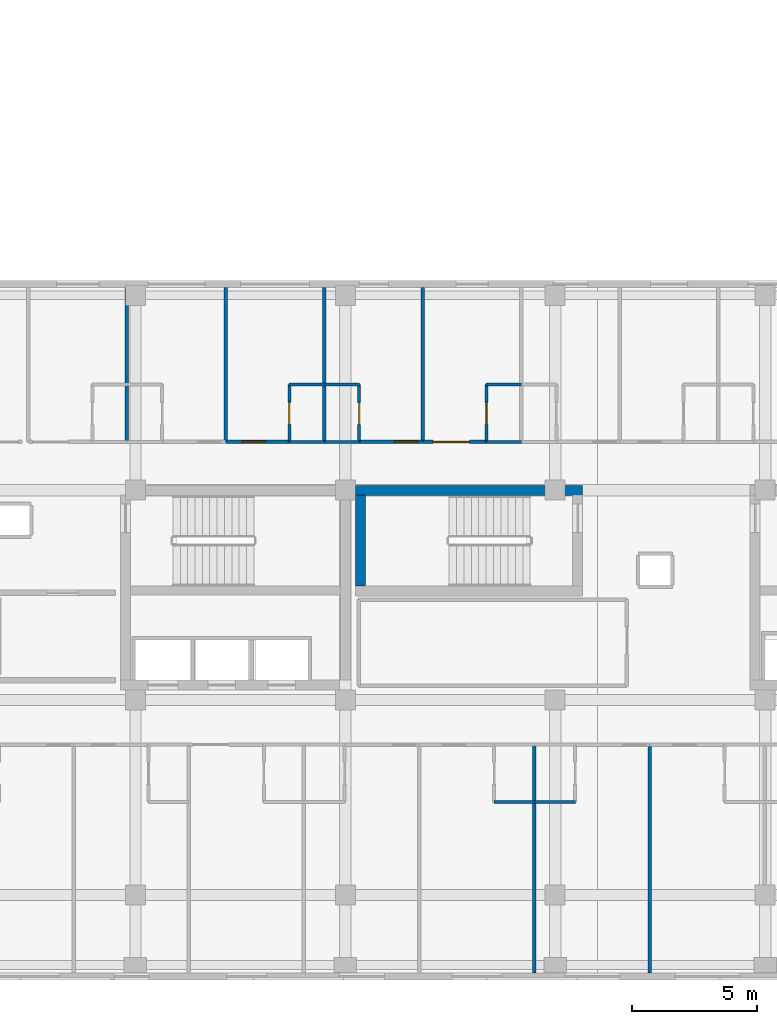
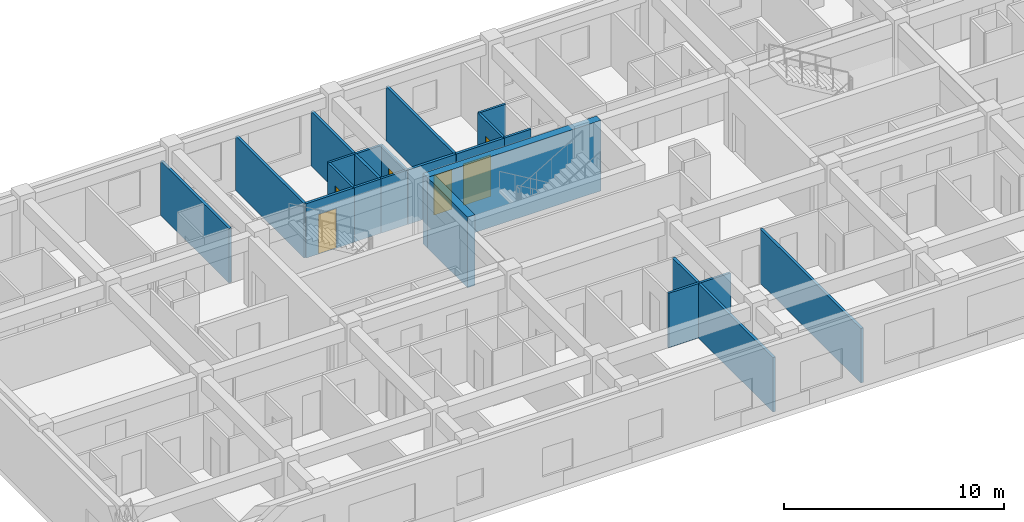
# One storey, part 104 of 123: 22 walls, 6 doors, 6 openings.
"""IFC4 building model written with IfcOpenShell, lengths in metres."""

import ifcopenshell
import ifcopenshell.guid

model = None  # the IFC model being written
_history = None  # IfcOwnerHistory: only IFC2X3 demands one
_inside = {}  # id of a spatial element -> (the spatial element, [elements in it])
_under = {}  # id of a project, library or spatial element -> (it, [spatial elements below it])
_declared = {}  # id of a project -> (the project, [libraries it declares])
_typed = {}  # id of a type object -> (the type object, [elements of that type])
_made_of = {}  # id of a material, layer set ... -> (it, [elements and type objects made of it])


def new_model(schema):
    """Start an empty IFC model of exactly this schema.

    Asked for "IFC4X3", IfcOpenShell would pick the latest addendum, in which some entities
    have other attributes; the version numbers below select the first issue.
    IFC2X3 requires an IfcOwnerHistory on every rooted entity: one is made here for all.
    """
    global model, _history
    if schema == "IFC4X3":
        model = ifcopenshell.file(schema_version=(4, 3, 0, 0))
    else:
        model = ifcopenshell.file(schema=schema)
    _inside.clear()
    _under.clear()
    _declared.clear()
    _typed.clear()
    _made_of.clear()
    _history = None
    if model.schema == "IFC2X3":
        org = make("IfcOrganization", Name="unknown")
        user = make(
            "IfcPersonAndOrganization",
            ThePerson=make("IfcPerson", FamilyName="unknown"),
            TheOrganization=org,
        )
        app = make(
            "IfcApplication",
            ApplicationDeveloper=org,
            Version="unknown",
            ApplicationFullName="unknown",
            ApplicationIdentifier="unknown",
        )
        _history = make(
            "IfcOwnerHistory",
            OwningUser=user,
            OwningApplication=app,
            ChangeAction="ADDED",
            CreationDate=0,
        )
    return model


def make(cls, **values):
    """One entity of the class cls with the attributes given. An attribute that is None is left unset."""
    return model.create_entity(
        cls, **{name: value for name, value in values.items() if value is not None}
    )


def rooted(cls, **values):
    """An entity with a GlobalId (a new one), such as an element, a storey or a relation."""
    return make(cls, GlobalId=ifcopenshell.guid.new(), OwnerHistory=_history, **values)


def si_unit(unit_type, name, prefix=None):
    """IfcSIUnit, for example si_unit("LENGTHUNIT", "METRE", prefix="MILLI")."""
    return make("IfcSIUnit", UnitType=unit_type, Prefix=prefix, Name=name)


def assignment(units):
    """IfcUnitAssignment: the units of a project."""
    return None if units is None else make("IfcUnitAssignment", Units=units)


def point(xyz):
    """IfcCartesianPoint."""
    return None if xyz is None else make("IfcCartesianPoint", Coordinates=xyz)


def direction(xyz):
    """IfcDirection."""
    return None if xyz is None else make("IfcDirection", DirectionRatios=xyz)


def frame(location, z_axis=None, x_axis=None):
    """IfcAxis2Placement3D, a coordinate frame: its origin and axes. An axis left out is left unset."""
    return make(
        "IfcAxis2Placement3D",
        Location=point(location),
        Axis=direction(z_axis),
        RefDirection=direction(x_axis),
    )


def frame_2d(location, x_axis=None):
    """IfcAxis2Placement2D, a coordinate frame in the plane: its origin and x axis."""
    return make(
        "IfcAxis2Placement2D", Location=point(location), RefDirection=direction(x_axis)
    )


def origin():
    """The frame at (0, 0, 0) with its axes left unset."""
    return frame((0.0, 0.0, 0.0))


def place(relative_to, where):
    """IfcLocalPlacement: puts the frame where relative to a parent placement (None: the world)."""
    return make(
        "IfcLocalPlacement", PlacementRelTo=relative_to, RelativePlacement=where
    )


def context(
    kind, dimensions, precision=None, world=None, true_north=None, identifier=None
):
    """IfcGeometricRepresentationContext, for example the 3D "Model" context."""
    return make(
        "IfcGeometricRepresentationContext",
        ContextIdentifier=identifier,
        ContextType=kind,
        CoordinateSpaceDimension=dimensions,
        Precision=precision,
        WorldCoordinateSystem=world,
        TrueNorth=true_north,
    )


def subcontext(parent, identifier, kind, view, scale=None):
    """IfcGeometricRepresentationSubContext, for example "Body" below "Model"."""
    return make(
        "IfcGeometricRepresentationSubContext",
        ContextIdentifier=identifier,
        ContextType=kind,
        ParentContext=parent,
        TargetScale=scale,
        TargetView=view,
    )


def project(units=None, contexts=None):
    """IfcProject with its units and contexts."""
    return rooted(
        "IfcProject",
        Name="project",
        RepresentationContexts=contexts,
        UnitsInContext=assignment(units),
    )


def spatial(cls, under=None, at=None, **own):
    """A site, building, storey or space (cls), placed at a placement, below another one or the project."""
    s = rooted(cls, ObjectPlacement=at, **own)
    if under is not None:
        _under.setdefault(under.id(), (under, []))[1].append(s)
    return s


def profile(cls, at=None, kind="AREA", **sizes):
    """A parametric profile (cls). Its sizes go by their IFC names, for example OverallWidth=200.0."""
    return make(cls, ProfileType=kind, Position=at, **sizes)


def rectangle(**sizes):
    """IfcRectangleProfileDef."""
    return profile("IfcRectangleProfileDef", **sizes)


def extrude(swept, where, along, depth):
    """IfcExtrudedAreaSolid: the profile swept, set in the frame where, extruded along a direction by depth."""
    return make(
        "IfcExtrudedAreaSolid",
        SweptArea=swept,
        Position=where,
        ExtrudedDirection=direction(along),
        Depth=depth,
    )


def shape(context_of_items, identifier, shape_type, items):
    """IfcShapeRepresentation: the items that make up one representation, for example the "Body"."""
    return make(
        "IfcShapeRepresentation",
        ContextOfItems=context_of_items,
        RepresentationIdentifier=identifier,
        RepresentationType=shape_type,
        Items=items,
    )


def material(Name=None, Category=None):
    """IfcMaterial."""
    return make("IfcMaterial", Name=Name, Category=Category)


def layer(
    of_material, thickness, ventilated=None, Name=None, Category=None, Priority=None
):
    """IfcMaterialLayer: one layer of a wall or slab, of a material (None: an air gap)."""
    return make(
        "IfcMaterialLayer",
        Material=of_material,
        LayerThickness=thickness,
        IsVentilated=ventilated,
        Name=Name,
        Category=Category,
        Priority=Priority,
    )


def layer_set(layers, Name=None):
    """IfcMaterialLayerSet."""
    return make("IfcMaterialLayerSet", MaterialLayers=layers, LayerSetName=Name)


def made_of(thing, what):
    """Note that an element or type object is made of a material, layer set ...; save() writes the relation."""
    if what is not None:
        _made_of.setdefault(what.id(), (what, []))[1].append(thing)
    return thing


def type_object(cls, material=None, **own):
    """A type object (cls), such as IfcWallType, which elements share."""
    return made_of(rooted(cls, **own), material)


def element(
    cls,
    number,
    at=None,
    inside=None,
    cuts=None,
    type_object=None,
    material=None,
    context=None,
    identifier="Body",
    shape_type=None,
    held_by="IfcProductDefinitionShape",
    body=None,
    shapes=None,
    **own,
):
    """One element of the class cls, such as IfcWall. Its Tag is "e" and its number.

    at: its placement. inside: the storey or other place that contains it. cuts: it is an
    opening in that element (IfcRelVoidsElement). A single representation is given by context,
    identifier, shape_type and body (its items); several are given by shapes. held_by: the class
    of the entity that holds the representations. save() writes the other relations.
    """
    e = rooted(cls, Tag="e%d" % number, ObjectPlacement=at, **own)
    if body is not None:
        shapes = [shape(context, identifier, shape_type, body)]
    if shapes is not None:
        e.Representation = make(held_by, Representations=shapes)
    if inside is not None:
        _inside.setdefault(inside.id(), (inside, []))[1].append(e)
    if cuts is not None:
        rooted(
            "IfcRelVoidsElement", RelatingBuildingElement=cuts, RelatedOpeningElement=e
        )
    if type_object is not None:
        _typed.setdefault(type_object.id(), (type_object, []))[1].append(e)
    return made_of(e, material)


def fill(opening, filler):
    """IfcRelFillsElement: the door or window that sits in an opening."""
    return rooted(
        "IfcRelFillsElement",
        RelatingOpeningElement=opening,
        RelatedBuildingElement=filler,
    )


def aggregate(whole, parts):
    """IfcRelAggregates: a whole, such as a stair, and the parts it consists of."""
    return rooted("IfcRelAggregates", RelatingObject=whole, RelatedObjects=parts)


def save(model, path):
    """Write the relations noted so far, then the file.

    IfcRelAggregates (storeys below a building ...), IfcRelContainedInSpatialStructure (elements
    in a storey), IfcRelDefinesByType, IfcRelAssociatesMaterial and IfcRelDeclares: one each for
    every whole, place, type object, material and project.
    """
    for whole, parts in _under.values():
        aggregate(whole, parts)
    for where, things in _inside.values():
        rooted(
            "IfcRelContainedInSpatialStructure",
            RelatedElements=things,
            RelatingStructure=where,
        )
    for kind, things in _typed.values():
        rooted("IfcRelDefinesByType", RelatedObjects=things, RelatingType=kind)
    for what, things in _made_of.values():
        rooted("IfcRelAssociatesMaterial", RelatedObjects=things, RelatingMaterial=what)
    for by, libraries in _declared.values():
        rooted("IfcRelDeclares", RelatingContext=by, RelatedDefinitions=libraries)
    model.write(path)


model = new_model("IFC4")

# Units and contexts
model_context = context("Model", 3, precision=1e-05, world=origin(), true_north=direction((0.0, 1.0)))
body_context = subcontext(model_context, "Body", "Model", "MODEL_VIEW")
ifc_project = project(units=[si_unit("LENGTHUNIT", "METRE"), si_unit("AREAUNIT", "SQUARE_METRE"), si_unit("VOLUMEUNIT", "CUBIC_METRE"), si_unit("PLANEANGLEUNIT", "RADIAN"), si_unit("MASSUNIT", "GRAM", prefix="KILO")], contexts=[model_context])

# Site, building, storey
site_placement = place(None, origin())
site = spatial("IfcSite", under=ifc_project, at=site_placement, CompositionType="ELEMENT")
building_placement = place(site_placement, origin())
building = spatial("IfcBuilding", under=site, at=building_placement, Name="Zayran Congress Hotel", CompositionType="ELEMENT")
storey_placement = place(building_placement, frame((0.0, 0.0, 15.0)))
storey = spatial("IfcBuildingStorey", under=building, at=storey_placement, Name="L03", CompositionType="ELEMENT", Elevation=15.0)

# Walls
ifc_material_1 = material(Name="Concrete C40/50", Category="concrete")
ifc_layer_1 = layer(ifc_material_1, 0.39990234375)
ifc_layer_set_1 = layer_set([ifc_layer_1], Name="Concrete C40/50")
wall_type_1 = type_object("IfcWallType", Name="WL-SH-400", PredefinedType="SHEAR", material=ifc_layer_set_1)
wall_1_placement = place(storey_placement, frame((43.10009765625, 25.5849609375, 0.0), z_axis=(0.0, 0.0, 1.0), x_axis=(-1.0, 0.0, 0.0)))
element("IfcWall", 1, at=wall_1_placement, inside=storey, type_object=wall_type_1, Name="CWALL-C-V5M-L03-N", PredefinedType="SHEAR", context=body_context, shape_type="SweptSolid", body=[
    extrude(rectangle(XDim=9.10009765625, YDim=0.39990234375, at=frame_2d((4.550048828125, 0.0))), origin(), (0.0, 0.0, 1.0), 3.919921875),
])
wall_2_placement = place(storey_placement, frame((34.199951171875, 25.39990234375, 0.0), z_axis=(0.0, 0.0, 1.0), x_axis=(0.0, -1.0, 0.0)))
element("IfcWall", 2, at=wall_2_placement, inside=storey, type_object=wall_type_1, Name="CWALL-C-V5M-L03-W", PredefinedType="SHEAR", context=body_context, shape_type="SweptSolid", body=[
    extrude(rectangle(XDim=3.639892578125, YDim=0.39990234375, at=frame_2d((1.81982421875, 0.0))), origin(), (0.0, 0.0, 1.0), 3.919921875),
])

# Wall, opening, door
ifc_material_2 = material(Name="Hospitality guestroom acoustic partition", Category="gypsum")
ifc_layer_2 = layer(ifc_material_2, 0.139892578125)
ifc_layer_set_2 = layer_set([ifc_layer_2], Name="Hospitality guestroom acoustic partition")
wall_type_2 = type_object("IfcWallType", Name="WL-PT-140", PredefinedType="PARTITIONING", material=ifc_layer_set_2)
wall_3_placement = place(storey_placement, frame((28.825927734375, 27.530029296875, 0.0), z_axis=(0.0, 0.0, 1.0), x_axis=(1.0, 0.0, 0.0)))
wall_3 = element("IfcWall", 3, at=wall_3_placement, inside=storey, type_object=wall_type_2, Name="IW-L03-0593", PredefinedType="PARTITIONING", context=body_context, shape_type="SweptSolid", body=[
    extrude(rectangle(XDim=2.5341796875, YDim=0.139892578125, at=frame_2d((1.26708984375, 0.0))), origin(), (0.0, 0.0, 1.0), 3.02001953125),
])
opening_1_placement = place(wall_3_placement, frame((0.656005859375, 0.0, 0.0)))
opening_1 = element("IfcOpeningElement", 4, at=opening_1_placement, cuts=wall_3, Name="Opening DR-GR-01", PredefinedType="OPENING", context=body_context, shape_type="SweptSolid", body=[
    extrude(rectangle(XDim=0.93994140625, YDim=2.199951171875, at=frame_2d((0.469970703125, 1.10009765625))), frame((0.0, 0.079833984375, 0.0), z_axis=(0.0, -1.0, 0.0), x_axis=(1.0, 0.0, 0.0)), (0.0, 0.0, 1.0), 0.159912109375),
])
ifc_material_3 = material(Name="Acoustic walnut veneer fire-rated entry door", Category="wood")
door_type_1 = type_object("IfcDoorType", Name="TP-DR-GR-01", OperationType="NOTDEFINED", PredefinedType="DOOR", material=ifc_material_3)
door_1_placement = place(opening_1_placement, origin())
door_1 = element("IfcDoor", 5, at=door_1_placement, inside=storey, type_object=door_type_1, Name="Guest Room L03-21 Door", OperationType="SINGLE_SWING_RIGHT", OverallHeight=2.199951171875, OverallWidth=0.93994140625, PredefinedType="DOOR", context=body_context, shape_type="SweptSolid", body=[
    extrude(rectangle(XDim=0.93994140625, YDim=2.199951171875, at=frame_2d((0.469970703125, 1.10009765625))), frame((0.0, 0.02490234375, 0.0), z_axis=(0.0, -1.0, 0.0), x_axis=(1.0, 0.0, 0.0)), (0.0, 0.0, 1.0), 0.050048828125),
])
fill(opening_1, door_1)

wall_4_placement = place(storey_placement, frame((34.156005859375, 27.530029296875, 0.0), z_axis=(0.0, 0.0, 1.0), x_axis=(1.0, 0.0, 0.0)))
wall_4 = element("IfcWall", 6, at=wall_4_placement, inside=storey, type_object=wall_type_2, Name="IW-L03-0594", PredefinedType="PARTITIONING", context=body_context, shape_type="SweptSolid", body=[
    extrude(rectangle(XDim=2.534912109375, YDim=0.139892578125, at=frame_2d((1.267578125, 0.0))), origin(), (0.0, 0.0, 1.0), 3.02001953125),
])
opening_2_placement = place(wall_4_placement, frame((1.407958984375, 0.0, 0.0)))
opening_2 = element("IfcOpeningElement", 7, at=opening_2_placement, cuts=wall_4, Name="Opening DR-GR-01", PredefinedType="OPENING", context=body_context, shape_type="SweptSolid", body=[
    extrude(rectangle(XDim=0.93994140625, YDim=2.199951171875, at=frame_2d((0.469970703125, 1.10009765625))), frame((0.0, 0.079833984375, 0.0), z_axis=(0.0, -1.0, 0.0), x_axis=(1.0, 0.0, 0.0)), (0.0, 0.0, 1.0), 0.159912109375),
])
door_2_placement = place(opening_2_placement, origin())
door_2 = element("IfcDoor", 8, at=door_2_placement, inside=storey, type_object=door_type_1, Name="Guest Room L03-22 Door", OperationType="SINGLE_SWING_LEFT", OverallHeight=2.199951171875, OverallWidth=0.93994140625, PredefinedType="DOOR", context=body_context, shape_type="SweptSolid", body=[
    extrude(rectangle(XDim=0.93994140625, YDim=2.199951171875, at=frame_2d((0.469970703125, 1.10009765625))), frame((0.0, 0.02490234375, 0.0), z_axis=(0.0, -1.0, 0.0), x_axis=(1.0, 0.0, 0.0)), (0.0, 0.0, 1.0), 0.050048828125),
])
fill(opening_2, door_2)

wall_5_placement = place(storey_placement, frame((36.7109375, 27.530029296875, 0.0), z_axis=(0.0, 0.0, 1.0), x_axis=(1.0, 0.0, 0.0)))
wall_5 = element("IfcWall", 9, at=wall_5_placement, inside=storey, type_object=wall_type_2, Name="IW-L03-0595", PredefinedType="PARTITIONING", context=body_context, shape_type="SweptSolid", body=[
    extrude(rectangle(XDim=2.53515625, YDim=0.139892578125, at=frame_2d((1.267578125, 0.0))), origin(), (0.0, 0.0, 1.0), 3.02001953125),
])
opening_3_placement = place(wall_5_placement, frame((0.39892578125, 0.0, 0.0)))
opening_3 = element("IfcOpeningElement", 10, at=opening_3_placement, cuts=wall_5, Name="Opening DR-ST-01", PredefinedType="OPENING", context=body_context, shape_type="SweptSolid", body=[
    extrude(rectangle(XDim=1.449951171875, YDim=2.300048828125, at=frame_2d((0.72509765625, 1.14990234375))), frame((0.0, 0.079833984375, 0.0), z_axis=(0.0, -1.0, 0.0), x_axis=(1.0, 0.0, 0.0)), (0.0, 0.0, 1.0), 0.159912109375),
])
ifc_material_4 = material(Name="Double walnut veneer suite entry door", Category="wood")
door_type_2 = type_object("IfcDoorType", Name="TP-DR-ST-01", OperationType="DOUBLE_DOOR_SINGLE_SWING", PredefinedType="DOOR", material=ifc_material_4)
door_3_placement = place(opening_3_placement, origin())
door_3 = element("IfcDoor", 11, at=door_3_placement, inside=storey, type_object=door_type_2, Name="Executive Suite L03-23 Door", OperationType="DOUBLE_DOOR_SINGLE_SWING", OverallHeight=2.300048828125, OverallWidth=1.449951171875, PredefinedType="DOOR", context=body_context, shape_type="SweptSolid", body=[
    extrude(rectangle(XDim=1.449951171875, YDim=2.300048828125, at=frame_2d((0.72509765625, 1.14990234375))), frame((0.0, 0.02490234375, 0.0), z_axis=(0.0, -1.0, 0.0), x_axis=(1.0, 0.0, 0.0)), (0.0, 0.0, 1.0), 0.050048828125),
])
fill(opening_3, door_3)

# Walls
for number, where, z_axis, x_axis, name in (
    (12, (41.16796875, 6.280029296875, 0.0), (0.0, 0.0, 1.0), (0.0, 1.0, 0.0), "IW-L03-1899"),
    (13, (45.779052734375, 6.280029296875, 0.0), (0.0, 0.0, 1.0), (0.0, 1.0, 0.0), "IW-L03-1900"),
):
    element("IfcWall", number, at=place(storey_placement, frame(where, z_axis=z_axis, x_axis=x_axis)), inside=storey, type_object=wall_type_2, Name=name, PredefinedType="PARTITIONING", context=body_context, shape_type="SweptSolid", body=[
        extrude(rectangle(XDim=9.14990234375, YDim=0.139892578125, at=frame_2d((4.574951171875, 0.0))), origin(), (0.0, 0.0, 1.0), 3.02001953125),
    ])
for number, where, z_axis, x_axis, name in (
    (14, (24.863037109375, 27.52001953125, 0.0), (0.0, 0.0, 1.0), (0.0, 1.0, 0.0), "IW-L03-1912"),
    (15, (28.805908203125, 27.52001953125, 0.0), (0.0, 0.0, 1.0), (0.0, 1.0, 0.0), "IW-L03-1913"),
    (16, (32.748046875, 27.52001953125, 0.0), (0.0, 0.0, 1.0), (0.0, 1.0, 0.0), "IW-L03-1914"),
    (17, (36.69091796875, 27.52001953125, 0.0), (0.0, 0.0, 1.0), (0.0, 1.0, 0.0), "IW-L03-1915"),
):
    element("IfcWall", number, at=place(storey_placement, frame(where, z_axis=z_axis, x_axis=x_axis)), inside=storey, type_object=wall_type_2, Name=name, PredefinedType="PARTITIONING", context=body_context, shape_type="SweptSolid", body=[
        extrude(rectangle(XDim=6.199951171875, YDim=0.139892578125, at=frame_2d((3.10009765625, 0.0))), origin(), (0.0, 0.0, 1.0), 3.02001953125),
    ])

# Wall, opening, door
ifc_material_5 = material(Name="Moisture-resistant bathroom partition", Category="gypsum")
ifc_layer_3 = layer(ifc_material_5, 0.1201171875)
ifc_layer_set_3 = layer_set([ifc_layer_3], Name="Moisture-resistant bathroom partition")
wall_type_3 = type_object("IfcWallType", Name="WL-PT-120", PredefinedType="PARTITIONING", material=ifc_layer_set_3)
wall_6_placement = place(storey_placement, frame((31.360107421875, 27.52001953125, 0.0), z_axis=(0.0, 0.0, 1.0), x_axis=(0.0, 1.0, 0.0)))
wall_6 = element("IfcWall", 18, at=wall_6_placement, inside=storey, type_object=wall_type_3, Name="IW-L03-0111", PredefinedType="PARTITIONING", context=body_context, shape_type="SweptSolid", body=[
    extrude(rectangle(XDim=2.31005859375, YDim=0.1201171875, at=frame_2d((1.155029296875, 0.0))), origin(), (0.0, 0.0, 1.0), 3.02001953125),
])
opening_4_placement = place(wall_6_placement, frame((0.715087890625, 0.0, 0.0)))
opening_4 = element("IfcOpeningElement", 19, at=opening_4_placement, cuts=wall_6, Name="Opening DR-BT-01", PredefinedType="OPENING", context=body_context, shape_type="SweptSolid", body=[
    extrude(rectangle(XDim=0.8798828125, YDim=2.14990234375, at=frame_2d((0.43994140625, 1.074951171875))), frame((0.0, 0.070068359375, 0.0), z_axis=(0.0, -1.0, 0.0), x_axis=(1.0, 0.0, 0.0)), (0.0, 0.0, 1.0), 0.14013671875),
])
ifc_material_6 = material(Name="Moisture-resistant oak en-suite door", Category="wood")
door_type_3 = type_object("IfcDoorType", Name="TP-DR-BT-01", OperationType="NOTDEFINED", PredefinedType="DOOR", material=ifc_material_6)
door_4_placement = place(opening_4_placement, origin())
door_4 = element("IfcDoor", 20, at=door_4_placement, inside=storey, type_object=door_type_3, Name="En-Suite Bathroom L03-21 Door", OperationType="SINGLE_SWING_RIGHT", OverallHeight=2.14990234375, OverallWidth=0.8798828125, PredefinedType="DOOR", context=body_context, shape_type="SweptSolid", body=[
    extrude(rectangle(XDim=0.8798828125, YDim=2.14990234375, at=frame_2d((0.43994140625, 1.074951171875))), frame((0.0, 0.02490234375, 0.0), z_axis=(0.0, -1.0, 0.0), x_axis=(1.0, 0.0, 0.0)), (0.0, 0.0, 1.0), 0.050048828125),
])
fill(opening_4, door_4)

wall_7_placement = place(storey_placement, frame((34.156005859375, 27.52001953125, 0.0), z_axis=(0.0, 0.0, 1.0), x_axis=(0.0, 1.0, 0.0)))
wall_7 = element("IfcWall", 21, at=wall_7_placement, inside=storey, type_object=wall_type_3, Name="IW-L03-0112", PredefinedType="PARTITIONING", context=body_context, shape_type="SweptSolid", body=[
    extrude(rectangle(XDim=2.31005859375, YDim=0.1201171875, at=frame_2d((1.155029296875, 0.0))), origin(), (0.0, 0.0, 1.0), 3.02001953125),
])
opening_5_placement = place(wall_7_placement, frame((0.715087890625, 0.0, 0.0)))
opening_5 = element("IfcOpeningElement", 22, at=opening_5_placement, cuts=wall_7, Name="Opening DR-BT-01", PredefinedType="OPENING", context=body_context, shape_type="SweptSolid", body=[
    extrude(rectangle(XDim=0.8798828125, YDim=2.14990234375, at=frame_2d((0.43994140625, 1.074951171875))), frame((0.0, 0.070068359375, 0.0), z_axis=(0.0, -1.0, 0.0), x_axis=(1.0, 0.0, 0.0)), (0.0, 0.0, 1.0), 0.14013671875),
])
door_5_placement = place(opening_5_placement, origin())
door_5 = element("IfcDoor", 23, at=door_5_placement, inside=storey, type_object=door_type_3, Name="En-Suite Bathroom L03-22 Door", OperationType="SINGLE_SWING_LEFT", OverallHeight=2.14990234375, OverallWidth=0.8798828125, PredefinedType="DOOR", context=body_context, shape_type="SweptSolid", body=[
    extrude(rectangle(XDim=0.8798828125, YDim=2.14990234375, at=frame_2d((0.43994140625, 1.074951171875))), frame((0.0, 0.02490234375, 0.0), z_axis=(0.0, -1.0, 0.0), x_axis=(1.0, 0.0, 0.0)), (0.0, 0.0, 1.0), 0.050048828125),
])
fill(opening_5, door_5)

wall_8_placement = place(storey_placement, frame((39.24609375, 27.52001953125, 0.0), z_axis=(0.0, 0.0, 1.0), x_axis=(0.0, 1.0, 0.0)))
wall_8 = element("IfcWall", 24, at=wall_8_placement, inside=storey, type_object=wall_type_3, Name="IW-L03-0113", PredefinedType="PARTITIONING", context=body_context, shape_type="SweptSolid", body=[
    extrude(rectangle(XDim=2.31005859375, YDim=0.1201171875, at=frame_2d((1.155029296875, 0.0))), origin(), (0.0, 0.0, 1.0), 3.02001953125),
])
opening_6_placement = place(wall_8_placement, frame((0.715087890625, 0.0, 0.0)))
opening_6 = element("IfcOpeningElement", 25, at=opening_6_placement, cuts=wall_8, Name="Opening DR-BT-01", PredefinedType="OPENING", context=body_context, shape_type="SweptSolid", body=[
    extrude(rectangle(XDim=0.8798828125, YDim=2.14990234375, at=frame_2d((0.43994140625, 1.074951171875))), frame((0.0, 0.070068359375, 0.0), z_axis=(0.0, -1.0, 0.0), x_axis=(1.0, 0.0, 0.0)), (0.0, 0.0, 1.0), 0.14013671875),
])
door_6_placement = place(opening_6_placement, origin())
door_6 = element("IfcDoor", 26, at=door_6_placement, inside=storey, type_object=door_type_3, Name="En-Suite Bathroom L03-23 Door", OperationType="SINGLE_SWING_RIGHT", OverallHeight=2.14990234375, OverallWidth=0.8798828125, PredefinedType="DOOR", context=body_context, shape_type="SweptSolid", body=[
    extrude(rectangle(XDim=0.8798828125, YDim=2.14990234375, at=frame_2d((0.43994140625, 1.074951171875))), frame((0.0, 0.02490234375, 0.0), z_axis=(0.0, -1.0, 0.0), x_axis=(1.0, 0.0, 0.0)), (0.0, 0.0, 1.0), 0.050048828125),
])
fill(opening_6, door_6)

# Walls
for number, where, z_axis, x_axis, name in (
    (27, (39.549072265625, 13.1298828125, 0.0), (0.0, 0.0, 1.0), (1.0, 0.0, 0.0), "IW-L03-1061"),
    (28, (41.177978515625, 13.1298828125, 0.0), (0.0, 0.0, 1.0), (1.0, 0.0, 0.0), "IW-L03-1063"),
):
    element("IfcWall", number, at=place(storey_placement, frame(where, z_axis=z_axis, x_axis=x_axis)), inside=storey, type_object=wall_type_3, Name=name, PredefinedType="PARTITIONING", context=body_context, shape_type="SweptSolid", body=[
        extrude(rectangle(XDim=1.62890625, YDim=0.1201171875, at=frame_2d((0.814453125, 0.0))), origin(), (0.0, 0.0, 1.0), 3.02001953125),
    ])
for number, where, z_axis, x_axis, name in (
    (29, (31.35009765625, 27.530029296875, 0.0), (0.0, 0.0, 1.0), (1.0, 0.0, 0.0), "IW-L03-1089"),
    (30, (31.35009765625, 29.820068359375, 0.0), (0.0, 0.0, 1.0), (1.0, 0.0, 0.0), "IW-L03-1090"),
    (31, (32.758056640625, 27.530029296875, 0.0), (0.0, 0.0, 1.0), (1.0, 0.0, 0.0), "IW-L03-1091"),
    (32, (32.758056640625, 29.820068359375, 0.0), (0.0, 0.0, 1.0), (1.0, 0.0, 0.0), "IW-L03-1092"),
):
    element("IfcWall", number, at=place(storey_placement, frame(where, z_axis=z_axis, x_axis=x_axis)), inside=storey, type_object=wall_type_3, Name=name, PredefinedType="PARTITIONING", context=body_context, shape_type="SweptSolid", body=[
        extrude(rectangle(XDim=1.407958984375, YDim=0.1201171875, at=frame_2d((0.7041015625, 0.0))), origin(), (0.0, 0.0, 1.0), 3.02001953125),
    ])
wall_9_placement = place(storey_placement, frame((39.24609375, 27.530029296875, 0.0), z_axis=(0.0, 0.0, 1.0), x_axis=(1.0, 0.0, 0.0)))
element("IfcWall", 33, at=wall_9_placement, inside=storey, type_object=wall_type_3, Name="IW-L03-1093", PredefinedType="PARTITIONING", context=body_context, shape_type="SweptSolid", body=[
    extrude(rectangle(XDim=1.39794921875, YDim=0.1201171875, at=frame_2d((0.698974609375, 0.0))), origin(), (0.0, 0.0, 1.0), 3.02001953125),
])
wall_10_placement = place(storey_placement, frame((39.236083984375, 29.820068359375, 0.0), z_axis=(0.0, 0.0, 1.0), x_axis=(1.0, 0.0, 0.0)))
element("IfcWall", 34, at=wall_10_placement, inside=storey, type_object=wall_type_3, Name="IW-L03-1094", PredefinedType="PARTITIONING", context=body_context, shape_type="SweptSolid", body=[
    extrude(rectangle(XDim=1.407958984375, YDim=0.1201171875, at=frame_2d((0.7041015625, 0.0))), origin(), (0.0, 0.0, 1.0), 3.02001953125),
])

save(model, "model.ifc")
